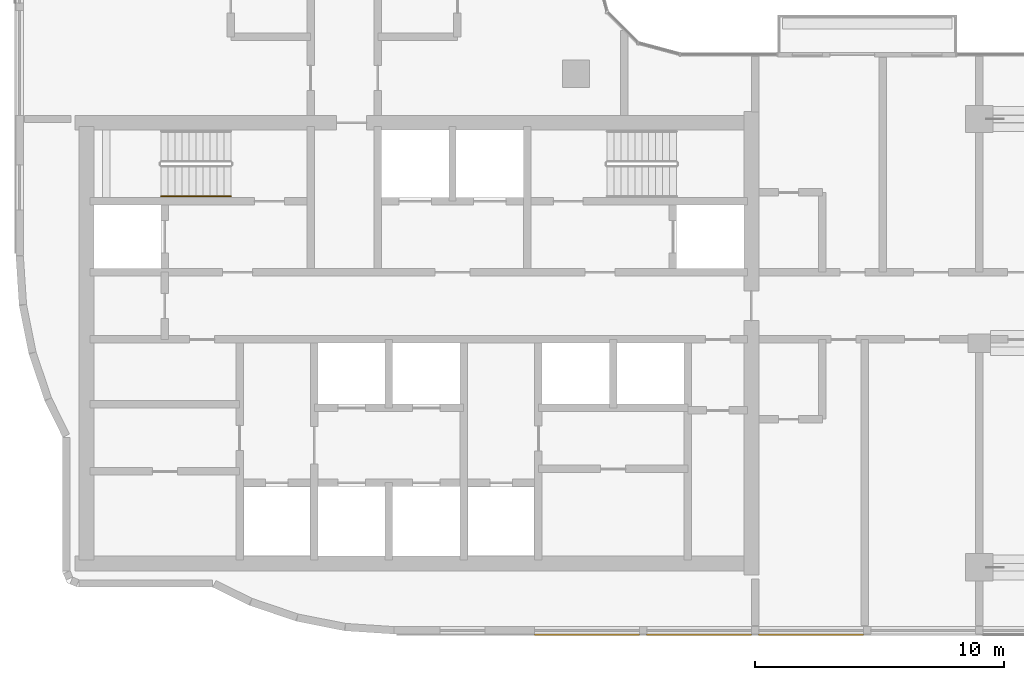
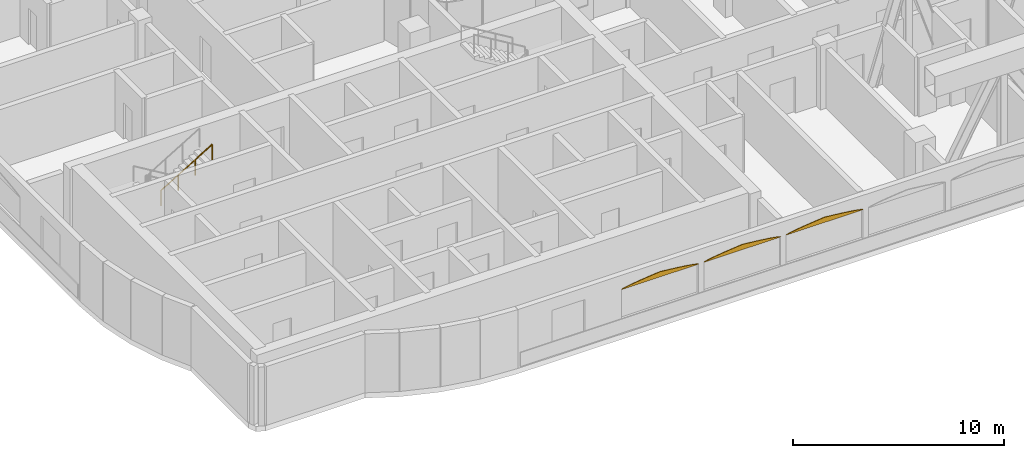
# One storey, part 18 of 25: 3 coverings, 1 railing.
"""IFC4 building model written with IfcOpenShell, lengths in metres."""

from ifc_helpers import new_model, si_unit, direction, frame, origin, origin_2d, place, context, subcontext, project, spatial, polyline, circle, outline, extrude, material, layer, layer_set, type_object, element, save


model = new_model("IFC4")

# Units and contexts
model_context = context("Model", 3, precision=1e-05, world=origin(), true_north=direction((0.0, 1.0)))
body_context = subcontext(model_context, "Body", "Model", "MODEL_VIEW")
ifc_project = project(units=[si_unit("LENGTHUNIT", "METRE"), si_unit("AREAUNIT", "SQUARE_METRE"), si_unit("VOLUMEUNIT", "CUBIC_METRE"), si_unit("PLANEANGLEUNIT", "RADIAN"), si_unit("MASSUNIT", "GRAM", prefix="KILO")], contexts=[model_context])

# Site, building, storey
site_placement = place(None, origin())
site = spatial("IfcSite", under=ifc_project, at=site_placement, CompositionType="ELEMENT")
building_placement = place(site_placement, origin())
building = spatial("IfcBuilding", under=site, at=building_placement, Name="Ogive Portal Towers", CompositionType="ELEMENT")
storey_placement = place(building_placement, frame((0.0, 0.0, 182.89990234375)))
storey = spatial("IfcBuildingStorey", under=building, at=storey_placement, Name="L45", CompositionType="ELEMENT", Elevation=182.89990234375)

# Railing
ifc_material_1 = material(Name="Stainless steel handrail", Category="steel")
railing_type = type_object("IfcRailingType", Name="INT-HANDRAIL", PredefinedType="HANDRAIL", material=ifc_material_1)
railing_placement = place(storey_placement, frame((34.64990234375, 36.39990234375, 2.018310546875)))
element("IfcRailing", 1, at=railing_placement, inside=storey, type_object=railing_type, Name="L45 ST-A1 stair handrail 2", PredefinedType="HANDRAIL", context=body_context, shape_type="SweptSolid", body=[
    extrude(circle(Radius=0.02392578125, at=origin_2d()), frame((0.0, 0.0, 0.8759765625), z_axis=(0.857242210791, 0.0, 0.514913383045), x_axis=(0.0, 1.0, 0.0)), (0.0, 0.0, 1.0), 3.266357421875),
    extrude(circle(Radius=0.02099609375, at=origin_2d()), origin(), (0.0, 0.0, 1.0), 0.851806640625),
    extrude(circle(Radius=0.02099609375, at=origin_2d()), frame((0.933349609375, 0.0, 0.560546875)), (0.0, 0.0, 1.0), 0.851806640625),
    extrude(circle(Radius=0.02099609375, at=origin_2d()), frame((1.86669921875, 0.0, 1.121337890625)), (0.0, 0.0, 1.0), 0.851806640625),
    extrude(circle(Radius=0.02099609375, at=origin_2d()), frame((2.800048828125, 0.0, 1.681884765625)), (0.0, 0.0, 1.0), 0.851806640625),
])

# Coverings
ifc_material_2 = material(Name="Limestone cladding on lightweight block wall", Category="masonry")
ifc_layer = layer(ifc_material_2, 0.0400390625)
ifc_layer_set = layer_set([ifc_layer], Name="LANCET HEAD STONE")
covering_type = type_object("IfcCoveringType", Name="LANCET HEAD STONE", PredefinedType="CLADDING", material=ifc_layer_set)
for number, where, z_axis, x_axis, name in (
    (2, (49.64990234375, 18.820068359375, 2.60009765625), (0.0, 0.999947689108, 0.01022834526), (1.0, 0.0, 0.0), "Lancet head"),
    (3, (54.14990234375, 18.820068359375, 2.60009765625), (0.0, 0.999947689108, 0.01022834526), (1.0, 0.0, 0.0), "Lancet head"),
    (4, (58.64990234375, 18.820068359375, 2.60009765625), (0.0, 0.999947689108, 0.01022834526), (1.0, 0.0, 0.0), "Lancet head"),
):
    element("IfcCovering", number, at=place(storey_placement, frame(where, z_axis=z_axis, x_axis=x_axis)), inside=storey, type_object=covering_type, Name=name, PredefinedType="CLADDING", context=body_context, shape_type="SweptSolid", body=[
        extrude(outline(polyline([(0.0, 0.0), (4.2001953125, 0.0), (4.107177734375, -0.03760068379228868), (3.9375, -0.07495474257618673), (3.7177734375, -0.11255542636847542), (3.45751953125, -0.14990948515237346), (3.162353515625, -0.18751016894466213), (2.836181640625, -0.2251083555823464), (2.481201171875, -0.2624649115208489), (2.10009765625, -0.30006559531313753), (1.718994140625, -0.2624649115208489), (1.364013671875, -0.2251083555823464), (1.037841796875, -0.18751016894466213), (0.74267578125, -0.14990948515237346), (0.482421875, -0.11255542636847542), (0.2626953125, -0.07495474257618673), (0.093017578125, -0.03760068379228868), (0.0, 0.0)])), origin(), (0.0, 0.0, -1.0), 0.0400390625),
    ])

save(model, "model.ifc")
